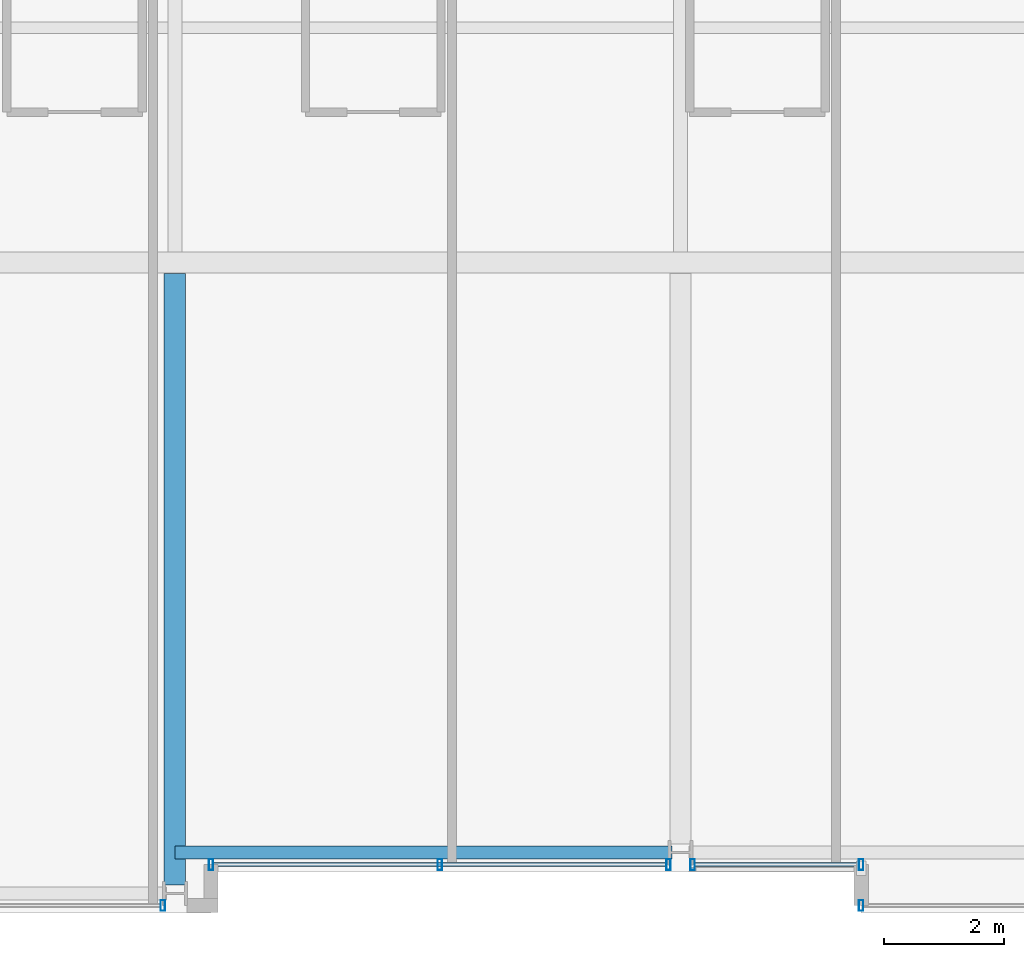
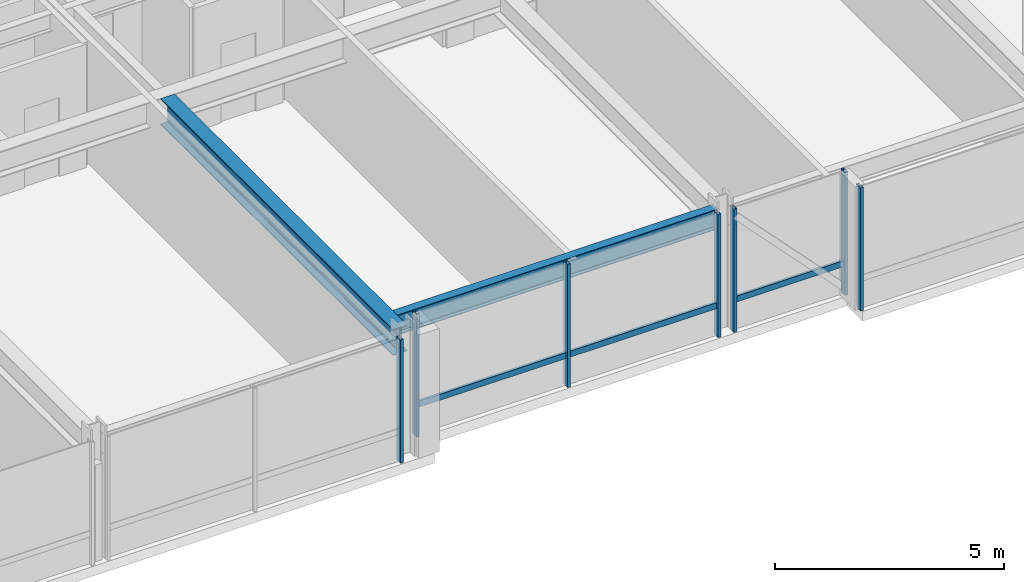
# One storey, part 5 of 34: 9 members, 2 beams, 4 elements without a shape of their own.
"""IFC4 building model written with IfcOpenShell, lengths in metres."""

from ifc_helpers import new_model, si_unit, direction, frame, origin, origin_2d, place, context, subcontext, project, spatial, hollow_rectangle, i_section, extrude, material, layer, layer_set, material_profile, profile_set, type_object, element, aggregate, save


model = new_model("IFC4")

# Units and contexts
model_context = context("Model", 3, precision=1e-05, world=origin(), true_north=direction((0.0, 1.0)))
body_context = subcontext(model_context, "Body", "Model", "MODEL_VIEW")
ifc_project = project(units=[si_unit("LENGTHUNIT", "METRE"), si_unit("AREAUNIT", "SQUARE_METRE"), si_unit("VOLUMEUNIT", "CUBIC_METRE"), si_unit("PLANEANGLEUNIT", "RADIAN"), si_unit("MASSUNIT", "GRAM", prefix="KILO")], contexts=[model_context])

# Site, building, storey
site_placement = place(None, origin())
site = spatial("IfcSite", under=ifc_project, at=site_placement, CompositionType="ELEMENT")
building_placement = place(site_placement, origin())
building = spatial("IfcBuilding", under=site, at=building_placement, Name="Drelvath Grand Hotel", CompositionType="ELEMENT")
storey_placement = place(building_placement, frame((0.0, 0.0, 175.25)))
storey = spatial("IfcBuildingStorey", under=building, at=storey_placement, Name="L45", CompositionType="ELEMENT", Elevation=175.25)

# Curtain wall, member
ifc_material_1 = material(Name="Brushed Pale-Silver Anodised Aluminium Frame", Category="aluminium")
ifc_layer = layer(ifc_material_1, 0.199951171875)
ifc_layer_set = layer_set([ifc_layer], Name="Brushed Pale-Silver Anodised Aluminium Frame")
curtain_wall_type = type_object("IfcCurtainWallType", Name="Stick Curtain Wall CW-04 Brushed Silver Upper-Mid", PredefinedType="NOTDEFINED", material=ifc_layer_set)
curtain_wall_1_placement = place(storey_placement, origin())
curtain_wall_1 = element("IfcCurtainWall", 1, at=curtain_wall_1_placement, inside=storey, type_object=curtain_wall_type, Name="L45 CW-04 Curtain Wall CW04-L45-SM1", PredefinedType="NOTDEFINED")
ifc_material_profile_1 = material_profile(ifc_material_1, hollow_rectangle(XDim=0.06494140625, YDim=0.159912109375, WallThickness=0.00390625, at=origin_2d()), Name="HSS160X65X4")
ifc_profile_set_1 = profile_set([ifc_material_profile_1], Name="Brushed Pale-Silver Anodised Aluminium Frame")
member_type_1 = type_object("IfcMemberType", Name="Curtain Wall Horizontal Transom CW-04 HSS160X65X4", PredefinedType="USERDEFINED", material=ifc_profile_set_1)
member_1_placement = place(storey_placement, frame((-0.239990234375, 0.800048828125, 0.822509765625), z_axis=(-1.0, 0.0, 0.0), x_axis=(0.0, -1.0, 0.0)))
member_1 = element("IfcMember", 2, at=member_1_placement, type_object=member_type_1, Name="CW04-L45-SM1 Sill Transom", ObjectType="TRANSOM", PredefinedType="USERDEFINED", context=body_context, shape_type="SweptSolid", body=[
    extrude(hollow_rectangle(XDim=0.06494140625, YDim=0.159912109375, WallThickness=0.00390625, at=origin_2d()), origin(), (0.0, 0.0, 1.0), 7.52001953125),
])

curtain_wall_2_placement = place(storey_placement, origin())
curtain_wall_2 = element("IfcCurtainWall", 3, at=curtain_wall_2_placement, inside=storey, type_object=curtain_wall_type, Name="L45 CW-04 Curtain Wall CW04-L45-SM2", PredefinedType="NOTDEFINED")
member_2_placement = place(storey_placement, frame((2.9599609375, 0.800048828125, 0.822509765625), z_axis=(-1.0, 0.0, 0.0), x_axis=(0.0, -1.0, 0.0)))
member_2 = element("IfcMember", 4, at=member_2_placement, type_object=member_type_1, Name="CW04-L45-SM2 Sill Transom", ObjectType="TRANSOM", PredefinedType="USERDEFINED", context=body_context, shape_type="SweptSolid", body=[
    extrude(hollow_rectangle(XDim=0.06494140625, YDim=0.159912109375, WallThickness=0.00390625, at=origin_2d()), origin(), (0.0, 0.0, 1.0), 2.719970703125),
])

curtain_wall_3_placement = place(storey_placement, origin())
curtain_wall_3 = element("IfcCurtainWall", 5, at=curtain_wall_3_placement, inside=storey, type_object=curtain_wall_type, Name="L45 CW-04 Curtain Wall CW04-L45-SE1", PredefinedType="NOTDEFINED")
ifc_material_profile_2 = material_profile(ifc_material_1, hollow_rectangle(XDim=0.074951171875, YDim=0.179931640625, WallThickness=0.0048828125, at=origin_2d()), Name="HSS180X75X5")
ifc_profile_set_2 = profile_set([ifc_material_profile_2], Name="Brushed Pale-Silver Anodised Aluminium Frame")
member_type_2 = type_object("IfcMemberType", Name="Curtain Wall Vertical Mullion CW-04 HSS180X75X5", PredefinedType="MULLION", material=ifc_profile_set_2)
member_3_placement = place(storey_placement, frame((3.0, 0.1201171875, 0.0), z_axis=(0.0, 0.0, 1.0), x_axis=(1.0, 0.0, 0.0)))
member_3 = element("IfcMember", 6, at=member_3_placement, type_object=member_type_2, Name="CW04-L45-SE1 Mullion 2", PredefinedType="MULLION", context=body_context, shape_type="SweptSolid", body=[
    extrude(hollow_rectangle(XDim=0.074951171875, YDim=0.179931640625, WallThickness=0.0048828125, at=origin_2d()), origin(), (0.0, 0.0, 1.0), 3.2900390625),
])
aggregate(curtain_wall_3, [member_3])

# Member
member_4_placement = place(storey_placement, frame((-0.2001953125, 0.800048828125, 0.0), z_axis=(0.0, 0.0, 1.0), x_axis=(1.0, 0.0, 0.0)))
member_4 = element("IfcMember", 7, at=member_4_placement, type_object=member_type_2, Name="CW04-L45-SM1 Mullion 1", PredefinedType="MULLION", context=body_context, shape_type="SweptSolid", body=[
    extrude(hollow_rectangle(XDim=0.074951171875, YDim=0.179931640625, WallThickness=0.0048828125, at=origin_2d()), origin(), (0.0, 0.0, 1.0), 3.2900390625),
])

member_5_placement = place(storey_placement, frame((-4.0, 0.800048828125, 0.0), z_axis=(0.0, 0.0, 1.0), x_axis=(1.0, 0.0, 0.0)))
member_5 = element("IfcMember", 8, at=member_5_placement, type_object=member_type_2, Name="CW04-L45-SM1 Mullion 2", PredefinedType="MULLION", context=body_context, shape_type="SweptSolid", body=[
    extrude(hollow_rectangle(XDim=0.074951171875, YDim=0.179931640625, WallThickness=0.0048828125, at=origin_2d()), origin(), (0.0, 0.0, 1.0), 3.2900390625),
])

member_6_placement = place(storey_placement, frame((-7.800048828125, 0.800048828125, 0.0), z_axis=(0.0, 0.0, 1.0), x_axis=(1.0, 0.0, 0.0)))
member_6 = element("IfcMember", 9, at=member_6_placement, type_object=member_type_2, Name="CW04-L45-SM1 Mullion 3", PredefinedType="MULLION", context=body_context, shape_type="SweptSolid", body=[
    extrude(hollow_rectangle(XDim=0.074951171875, YDim=0.179931640625, WallThickness=0.0048828125, at=origin_2d()), origin(), (0.0, 0.0, 1.0), 3.2900390625),
])

aggregate(curtain_wall_1, [member_4, member_5, member_6, member_1])

member_7_placement = place(storey_placement, frame((3.0, 0.800048828125, 0.0), z_axis=(0.0, 0.0, 1.0), x_axis=(1.0, 0.0, 0.0)))
member_7 = element("IfcMember", 10, at=member_7_placement, type_object=member_type_2, Name="CW04-L45-SM2 Mullion 1", PredefinedType="MULLION", context=body_context, shape_type="SweptSolid", body=[
    extrude(hollow_rectangle(XDim=0.074951171875, YDim=0.179931640625, WallThickness=0.0048828125, at=origin_2d()), origin(), (0.0, 0.0, 1.0), 3.2900390625),
])

member_8_placement = place(storey_placement, frame((0.2001953125, 0.800048828125, 0.0), z_axis=(0.0, 0.0, 1.0), x_axis=(1.0, 0.0, 0.0)))
member_8 = element("IfcMember", 11, at=member_8_placement, type_object=member_type_2, Name="CW04-L45-SM2 Mullion 2", PredefinedType="MULLION", context=body_context, shape_type="SweptSolid", body=[
    extrude(hollow_rectangle(XDim=0.074951171875, YDim=0.179931640625, WallThickness=0.0048828125, at=origin_2d()), origin(), (0.0, 0.0, 1.0), 3.2900390625),
])

aggregate(curtain_wall_2, [member_7, member_8, member_2])

# Curtain wall, member
curtain_wall_4_placement = place(storey_placement, origin())
curtain_wall_4 = element("IfcCurtainWall", 12, at=curtain_wall_4_placement, inside=storey, type_object=curtain_wall_type, Name="L45 CW-04 Curtain Wall CW04-L45-SW2", PredefinedType="NOTDEFINED")
member_9_placement = place(storey_placement, frame((-8.60009765625, 0.1201171875, 0.0), z_axis=(0.0, 0.0, 1.0), x_axis=(1.0, 0.0, 0.0)))
member_9 = element("IfcMember", 13, at=member_9_placement, type_object=member_type_2, Name="CW04-L45-SW2 Mullion 1", PredefinedType="MULLION", context=body_context, shape_type="SweptSolid", body=[
    extrude(hollow_rectangle(XDim=0.074951171875, YDim=0.179931640625, WallThickness=0.0048828125, at=origin_2d()), origin(), (0.0, 0.0, 1.0), 3.2900390625),
])
aggregate(curtain_wall_4, [member_9])

# Beams
ifc_material_2 = material(Name="Steel ASTM A992 Gr 50", Category="steel")
ifc_material_profile_3 = material_profile(ifc_material_2, i_section(OverallWidth=0.210205078125, OverallDepth=0.53662109375, WebThickness=0.010986328125, FlangeThickness=0.017333984375, FilletRadius=0.01806640625, at=origin_2d()), Name="W21X68")
ifc_profile_set_3 = profile_set([ifc_material_profile_3], Name="Steel ASTM A992 Gr 50")
beam_type_1 = type_object("IfcBeamType", Name="Perimeter Spandrel Beam W21X68", PredefinedType="SPANDREL", material=ifc_profile_set_3)
beam_1_placement = place(storey_placement, frame((-8.39990234375, 1.0, 3.021484375), z_axis=(1.0, 0.0, 0.0), x_axis=(0.0, 1.0, 0.0)))
element("IfcBeam", 14, at=beam_1_placement, inside=storey, type_object=beam_type_1, Name="L45 Spandrel South Mid W", PredefinedType="SPANDREL", context=body_context, shape_type="SweptSolid", body=[
    extrude(i_section(OverallWidth=0.210205078125, OverallDepth=0.53662109375, WebThickness=0.010986328125, FlangeThickness=0.017333984375, FilletRadius=0.01806640625, at=origin_2d()), origin(), (0.0, 0.0, 1.0), 8.260009765625),
])
ifc_material_profile_4 = material_profile(ifc_material_2, i_section(OverallWidth=0.354736328125, OverallDepth=0.695556640625, WebThickness=0.015380859375, FlangeThickness=0.025146484375, FilletRadius=0.02392578125, at=origin_2d()), Name="W27X146")
ifc_profile_set_4 = profile_set([ifc_material_profile_4], Name="Steel ASTM A992 Gr 50")
beam_type_2 = type_object("IfcBeamType", Name="Primary Floor Girder W27X146", PredefinedType="BEAM", material=ifc_profile_set_4)
beam_2_placement = place(storey_placement, frame((-8.39990234375, 0.4599609375, 2.9423828125), z_axis=(0.0, 1.0, 0.0), x_axis=(-1.0, 0.0, 0.0)))
element("IfcBeam", 15, at=beam_2_placement, inside=storey, type_object=beam_type_2, Name="L45 South Wing Girder 4", PredefinedType="BEAM", context=body_context, shape_type="SweptSolid", body=[
    extrude(i_section(OverallWidth=0.354736328125, OverallDepth=0.695556640625, WebThickness=0.015380859375, FlangeThickness=0.025146484375, FilletRadius=0.02392578125, at=origin_2d()), origin(), (0.0, 0.0, 1.0), 10.16259765625),
])

save(model, "model.ifc")
